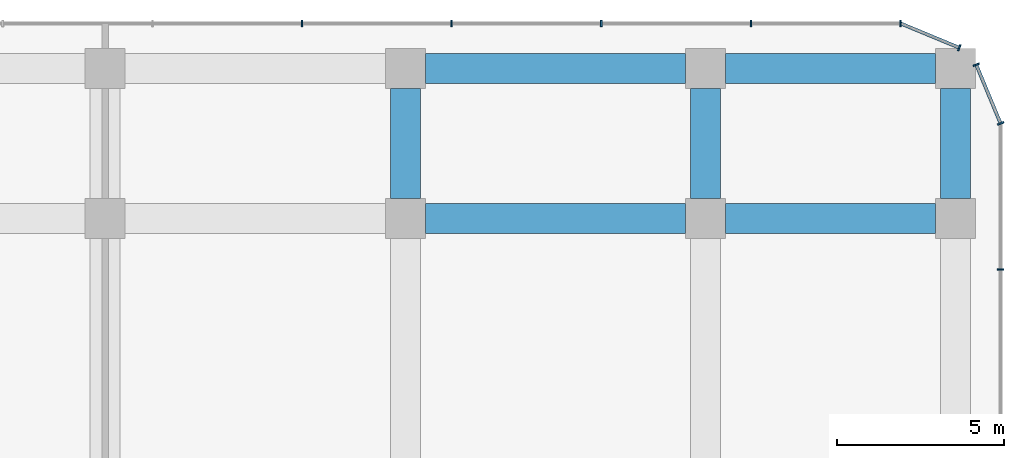
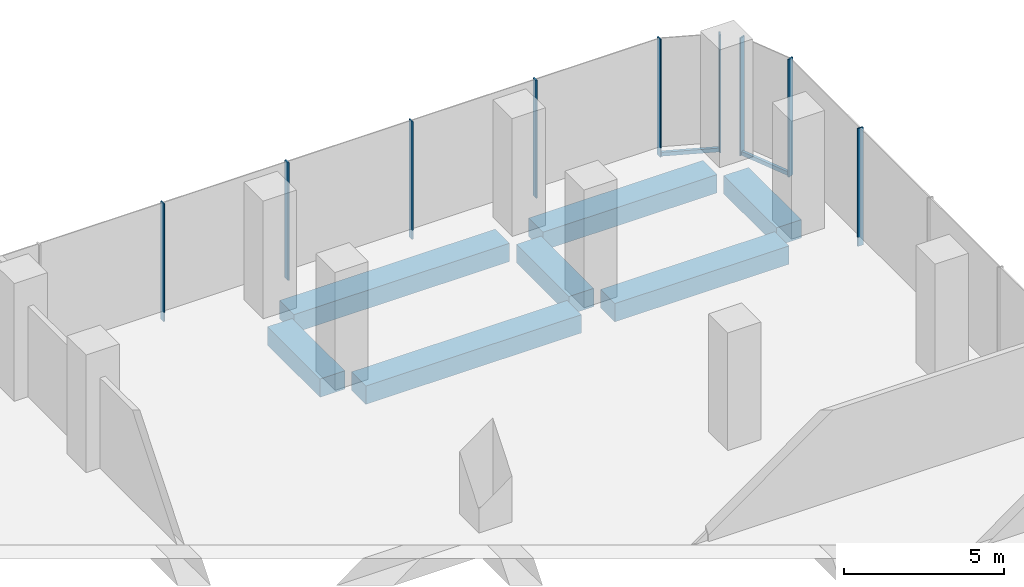
# One storey, part 25 of 43: 11 members, 7 beams, 4 elements without a shape of their own.
"""IFC4 building model written with IfcOpenShell, lengths in metres."""

from ifc_helpers import new_model, si_unit, direction, frame, origin, origin_2d, place, context, subcontext, project, spatial, rectangle, extrude, material, layer, layer_set, material_profile, profile_set, type_object, element, aggregate, save


model = new_model("IFC4")

# Units and contexts
model_context = context("Model", 3, precision=1e-05, world=origin(), true_north=direction((0.0, 1.0)))
body_context = subcontext(model_context, "Body", "Model", "MODEL_VIEW")
ifc_project = project(units=[si_unit("LENGTHUNIT", "METRE"), si_unit("AREAUNIT", "SQUARE_METRE"), si_unit("VOLUMEUNIT", "CUBIC_METRE"), si_unit("PLANEANGLEUNIT", "RADIAN"), si_unit("MASSUNIT", "GRAM", prefix="KILO")], contexts=[model_context])

# Site, building, storey
site_placement = place(None, origin())
site = spatial("IfcSite", under=ifc_project, at=site_placement, CompositionType="ELEMENT")
building_placement = place(site_placement, origin())
building = spatial("IfcBuilding", under=site, at=building_placement, Name="Plateau Cross Towers", CompositionType="ELEMENT")
storey_placement = place(building_placement, frame((0.0, 0.0, 12.800048828125)))
storey = spatial("IfcBuildingStorey", under=building, at=storey_placement, Name="L02", CompositionType="ELEMENT", Elevation=12.800048828125)

# Curtain wall, member
ifc_material_1 = material(Name="Dark low-iron laminated glass", Category="glass")
ifc_layer = layer(ifc_material_1, 0.300048828125)
ifc_layer_set = layer_set([ifc_layer], Name="Dark low-iron laminated glass")
curtain_wall_type = type_object("IfcCurtainWallType", Name="Curtain wall structural silicone CW-C", PredefinedType="NOTDEFINED", material=ifc_layer_set)
curtain_wall_1_placement = place(storey_placement, origin())
curtain_wall_1 = element("IfcCurtainWall", 1, at=curtain_wall_1_placement, inside=storey, type_object=curtain_wall_type, Name="ENV/P/L02/P1078_-88", PredefinedType="NOTDEFINED")
ifc_material_2 = material(Name="Black anodised aluminium", Category="aluminium")
ifc_material_profile_1 = material_profile(ifc_material_2, rectangle(XDim=0.050048828125, YDim=0.199951171875, at=origin_2d()), Name="MULLION 50x200")
ifc_profile_set_1 = profile_set([ifc_material_profile_1], Name="Black anodised aluminium")
member_type_1 = type_object("IfcMemberType", Name="Mullion 50x200 structural silicone", PredefinedType="MULLION", material=ifc_profile_set_1)
member_1_placement = place(storey_placement, frame((107.85009765625, 52.469970703125, -0.35009765625), z_axis=(0.0, 0.0, 1.0), x_axis=(0.0, 1.0, 0.0)))
member_1 = element("IfcMember", 2, at=member_1_placement, type_object=member_type_1, Name="CW-C mullion 15", PredefinedType="MULLION", context=body_context, shape_type="SweptSolid", body=[
    extrude(rectangle(XDim=0.050048828125, YDim=0.199951171875, at=origin_2d()), origin(), (0.0, 0.0, 1.0), 4.5),
])
aggregate(curtain_wall_1, [member_1])

# Curtain wall, members
curtain_wall_2_placement = place(storey_placement, origin())
curtain_wall_2 = element("IfcCurtainWall", 3, at=curtain_wall_2_placement, inside=storey, type_object=curtain_wall_type, Name="ENV/P/L02/P1078_568", PredefinedType="NOTDEFINED")
member_2_placement = place(storey_placement, frame((107.85009765625, 56.85009765625, -0.35009765625), z_axis=(0.0, 0.0, 1.0), x_axis=(-0.382683612978, 0.923879457699, 0.0)))
member_2 = element("IfcMember", 4, at=member_2_placement, type_object=member_type_1, Name="CW-C mullion 1", PredefinedType="MULLION", context=body_context, shape_type="SweptSolid", body=[
    extrude(rectangle(XDim=0.050048828125, YDim=0.199951171875, at=origin_2d()), origin(), (0.0, 0.0, 1.0), 4.5),
])
member_3_placement = place(storey_placement, frame((107.1201171875, 58.6123046875, -0.35009765625), z_axis=(0.0, 0.0, 1.0), x_axis=(-0.382683612978, 0.923879457699, 0.0)))
member_3 = element("IfcMember", 5, at=member_3_placement, type_object=member_type_1, Name="CW-C mullion 2", PredefinedType="MULLION", context=body_context, shape_type="SweptSolid", body=[
    extrude(rectangle(XDim=0.050048828125, YDim=0.199951171875, at=origin_2d()), origin(), (0.0, 0.0, 1.0), 4.5),
])

# Curtain wall, member
curtain_wall_3_placement = place(storey_placement, origin())
curtain_wall_3 = element("IfcCurtainWall", 6, at=curtain_wall_3_placement, inside=storey, type_object=curtain_wall_type, Name="ENV/P/L02/P1066_591", PredefinedType="NOTDEFINED")
member_4_placement = place(storey_placement, frame((106.6123046875, 59.1201171875, -0.35009765625), z_axis=(0.0, 0.0, 1.0), x_axis=(-0.923879457699, 0.382683612978, 0.0)))
member_4 = element("IfcMember", 7, at=member_4_placement, type_object=member_type_1, Name="CW-C mullion 1", PredefinedType="MULLION", context=body_context, shape_type="SweptSolid", body=[
    extrude(rectangle(XDim=0.050048828125, YDim=0.199951171875, at=origin_2d()), origin(), (0.0, 0.0, 1.0), 4.5),
])

# Curtain wall, members
curtain_wall_4_placement = place(storey_placement, origin())
curtain_wall_4 = element("IfcCurtainWall", 8, at=curtain_wall_4_placement, inside=storey, type_object=curtain_wall_type, Name="ENV/P/L02/P1048_598", PredefinedType="NOTDEFINED")
member_5_placement = place(storey_placement, frame((104.85009765625, 59.85009765625, -0.35009765625), z_axis=(0.0, 0.0, 1.0), x_axis=(-1.0, 0.0, 0.0)))
member_5 = element("IfcMember", 9, at=member_5_placement, type_object=member_type_1, Name="CW-C mullion 1", PredefinedType="MULLION", context=body_context, shape_type="SweptSolid", body=[
    extrude(rectangle(XDim=0.050048828125, YDim=0.199951171875, at=origin_2d()), origin(), (0.0, 0.0, 1.0), 4.5),
])
member_6_placement = place(storey_placement, frame((100.362548828125, 59.85009765625, -0.35009765625), z_axis=(0.0, 0.0, 1.0), x_axis=(-1.0, 0.0, 0.0)))
member_6 = element("IfcMember", 10, at=member_6_placement, type_object=member_type_1, Name="CW-C mullion 2", PredefinedType="MULLION", context=body_context, shape_type="SweptSolid", body=[
    extrude(rectangle(XDim=0.050048828125, YDim=0.199951171875, at=origin_2d()), origin(), (0.0, 0.0, 1.0), 4.5),
])
member_7_placement = place(storey_placement, frame((95.875, 59.85009765625, -0.35009765625), z_axis=(0.0, 0.0, 1.0), x_axis=(-1.0, 0.0, 0.0)))
member_7 = element("IfcMember", 11, at=member_7_placement, type_object=member_type_1, Name="CW-C mullion 3", PredefinedType="MULLION", context=body_context, shape_type="SweptSolid", body=[
    extrude(rectangle(XDim=0.050048828125, YDim=0.199951171875, at=origin_2d()), origin(), (0.0, 0.0, 1.0), 4.5),
])
member_8_placement = place(storey_placement, frame((91.387451171875, 59.85009765625, -0.35009765625), z_axis=(0.0, 0.0, 1.0), x_axis=(-1.0, 0.0, 0.0)))
member_8 = element("IfcMember", 12, at=member_8_placement, type_object=member_type_1, Name="CW-C mullion 4", PredefinedType="MULLION", context=body_context, shape_type="SweptSolid", body=[
    extrude(rectangle(XDim=0.050048828125, YDim=0.199951171875, at=origin_2d()), origin(), (0.0, 0.0, 1.0), 4.5),
])
member_9_placement = place(storey_placement, frame((86.89990234375, 59.85009765625, -0.35009765625), z_axis=(0.0, 0.0, 1.0), x_axis=(-1.0, 0.0, 0.0)))
member_9 = element("IfcMember", 13, at=member_9_placement, type_object=member_type_1, Name="CW-C mullion 5", PredefinedType="MULLION", context=body_context, shape_type="SweptSolid", body=[
    extrude(rectangle(XDim=0.050048828125, YDim=0.199951171875, at=origin_2d()), origin(), (0.0, 0.0, 1.0), 4.5),
])
aggregate(curtain_wall_4, [member_5, member_6, member_7, member_8, member_9])

# Beams
ifc_material_3 = material(Name="Concrete C50/60", Category="concrete")
ifc_material_profile_2 = material_profile(ifc_material_3, rectangle(XDim=0.89990234375, YDim=0.699951171875, at=origin_2d()), Name="RC 900x700")
ifc_profile_set_2 = profile_set([ifc_material_profile_2], Name="Concrete C50/60")
beam_type = type_object("IfcBeamType", Name="Podium band beam RC 900x700", PredefinedType="BEAM", material=ifc_profile_set_2)
beam_1_placement = place(storey_placement, frame((90.60009765625, 54.0, -0.699951171875), z_axis=(1.0, 0.0, 0.0), x_axis=(0.0, 1.0, 0.0)))
element("IfcBeam", 14, at=beam_1_placement, inside=storey, type_object=beam_type, Name="PB78@L02", PredefinedType="BEAM", context=body_context, shape_type="SweptSolid", body=[
    extrude(rectangle(XDim=0.89990234375, YDim=0.699951171875, at=origin_2d()), origin(), (0.0, 0.0, 1.0), 7.7998046875),
])
beam_2_placement = place(storey_placement, frame((99.60009765625, 54.0, -0.699951171875), z_axis=(1.0, 0.0, 0.0), x_axis=(0.0, 1.0, 0.0)))
element("IfcBeam", 15, at=beam_2_placement, inside=storey, type_object=beam_type, Name="PB79@L02", PredefinedType="BEAM", context=body_context, shape_type="SweptSolid", body=[
    extrude(rectangle(XDim=0.89990234375, YDim=0.699951171875, at=origin_2d()), origin(), (0.0, 0.0, 1.0), 6.2998046875),
])
beam_3_placement = place(storey_placement, frame((90.60009765625, 58.5, -0.699951171875), z_axis=(1.0, 0.0, 0.0), x_axis=(0.0, 1.0, 0.0)))
element("IfcBeam", 16, at=beam_3_placement, inside=storey, type_object=beam_type, Name="PB91@L02", PredefinedType="BEAM", context=body_context, shape_type="SweptSolid", body=[
    extrude(rectangle(XDim=0.89990234375, YDim=0.699951171875, at=origin_2d()), origin(), (0.0, 0.0, 1.0), 7.7998046875),
])
beam_4_placement = place(storey_placement, frame((99.60009765625, 58.5, -0.699951171875), z_axis=(1.0, 0.0, 0.0), x_axis=(0.0, 1.0, 0.0)))
element("IfcBeam", 17, at=beam_4_placement, inside=storey, type_object=beam_type, Name="PB92@L02", PredefinedType="BEAM", context=body_context, shape_type="SweptSolid", body=[
    extrude(rectangle(XDim=0.89990234375, YDim=0.699951171875, at=origin_2d()), origin(), (0.0, 0.0, 1.0), 6.2998046875),
])
for number, where, z_axis, x_axis, name in (
    (18, (90.0, 54.60009765625, -0.699951171875), (0.0, 1.0, 0.0), (-1.0, 0.0, 0.0), "PB168@L02"),
    (19, (99.0, 54.60009765625, -0.699951171875), (0.0, 1.0, 0.0), (-1.0, 0.0, 0.0), "PB172@L02"),
    (20, (106.5, 54.60009765625, -0.699951171875), (0.0, 1.0, 0.0), (-1.0, 0.0, 0.0), "PB181@L02"),
):
    element("IfcBeam", number, at=place(storey_placement, frame(where, z_axis=z_axis, x_axis=x_axis)), inside=storey, type_object=beam_type, Name=name, PredefinedType="BEAM", context=body_context, shape_type="SweptSolid", body=[
        extrude(rectangle(XDim=0.89990234375, YDim=0.699951171875, at=origin_2d()), origin(), (0.0, 0.0, 1.0), 3.2998046875),
    ])

# Member
ifc_material_profile_3 = material_profile(ifc_material_2, rectangle(XDim=0.10009765625, YDim=0.14990234375, at=origin_2d()), Name="TRANSOM 100x150")
ifc_profile_set_3 = profile_set([ifc_material_profile_3], Name="Black anodised aluminium")
member_type_2 = type_object("IfcMemberType", Name="Transom 100x150 structural silicone", PredefinedType="USERDEFINED", material=ifc_profile_set_3)
member_10_placement = place(storey_placement, frame((107.85009765625, 56.85009765625, -0.275146484375), z_axis=(-0.38270599329, 0.923870187147, 0.0), x_axis=(-0.923870187147, -0.38270599329, 0.0)))
member_10 = element("IfcMember", 21, at=member_10_placement, type_object=member_type_2, Name="CW-C transom", ObjectType="TRANSOM", PredefinedType="USERDEFINED", context=body_context, shape_type="SweptSolid", body=[
    extrude(rectangle(XDim=0.10009765625, YDim=0.14990234375, at=origin_2d()), origin(), (0.0, 0.0, 1.0), 1.907470703125),
])

aggregate(curtain_wall_2, [member_2, member_3, member_10])

member_11_placement = place(storey_placement, frame((106.6123046875, 59.1201171875, -0.275146484375), z_axis=(-0.923870187147, 0.38270599329, 0.0), x_axis=(-0.38270599329, -0.923870187147, 0.0)))
member_11 = element("IfcMember", 22, at=member_11_placement, type_object=member_type_2, Name="CW-C transom", ObjectType="TRANSOM", PredefinedType="USERDEFINED", context=body_context, shape_type="SweptSolid", body=[
    extrude(rectangle(XDim=0.10009765625, YDim=0.14990234375, at=origin_2d()), origin(), (0.0, 0.0, 1.0), 1.907470703125),
])

aggregate(curtain_wall_3, [member_4, member_11])

save(model, "model.ifc")
